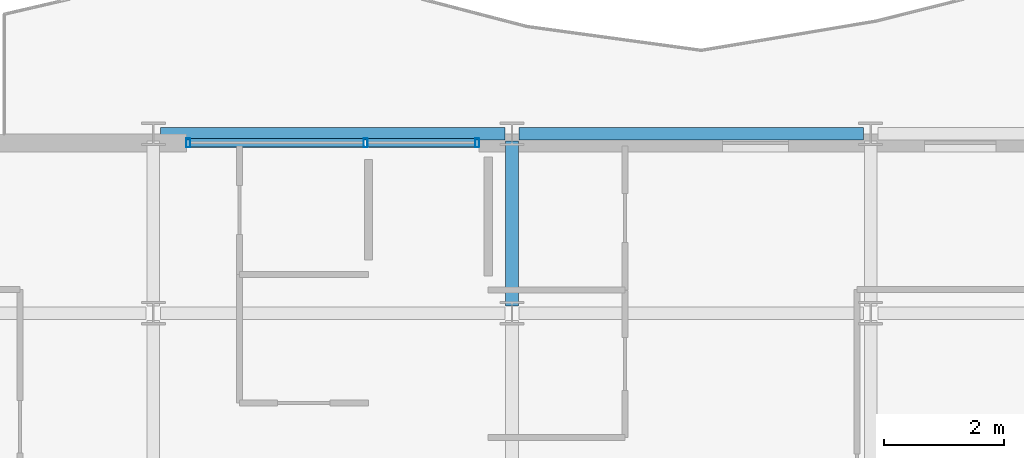
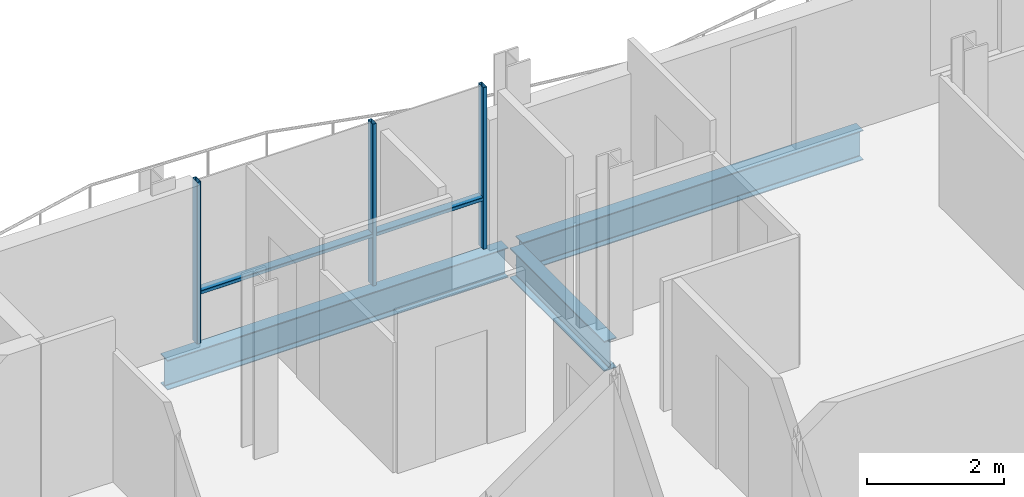
# One storey, part 7 of 29: 5 members, 3 beams, 1 element without a shape of its own.
"""IFC4 building model written with IfcOpenShell, lengths in metres."""

from ifc_helpers import new_model, si_unit, direction, frame, origin, origin_2d, place, context, subcontext, project, spatial, hollow_rectangle, i_section, extrude, material, layer, layer_set, material_profile, profile_set, type_object, element, aggregate, save


model = new_model("IFC4")

# Units and contexts
model_context = context("Model", 3, precision=1e-05, world=origin(), true_north=direction((0.0, 1.0)))
body_context = subcontext(model_context, "Body", "Model", "MODEL_VIEW")
ifc_project = project(units=[si_unit("LENGTHUNIT", "METRE"), si_unit("AREAUNIT", "SQUARE_METRE"), si_unit("VOLUMEUNIT", "CUBIC_METRE"), si_unit("PLANEANGLEUNIT", "RADIAN"), si_unit("MASSUNIT", "GRAM", prefix="KILO")], contexts=[model_context])

# Site, building, storey
site_placement = place(None, origin())
site = spatial("IfcSite", under=ifc_project, at=site_placement, CompositionType="ELEMENT")
building_placement = place(site_placement, origin())
building = spatial("IfcBuilding", under=site, at=building_placement, Name="Brevholm Reach", CompositionType="ELEMENT")
storey_placement = place(building_placement, frame((0.0, 0.0, 198.699951171875)))
storey = spatial("IfcBuildingStorey", under=building, at=storey_placement, Name="L60", CompositionType="ELEMENT", Elevation=198.699951171875)

# Beams
ifc_material_1 = material(Name="Structural Steel S355J2", Category="steel")
ifc_material_profile_1 = material_profile(ifc_material_1, i_section(OverallWidth=0.209228515625, OverallDepth=0.533203125, WebThickness=0.010009765625, FlangeThickness=0.015625, FilletRadius=0.0126953125, at=origin_2d()), Name="UKB 533x210x92")
ifc_profile_set_1 = profile_set([ifc_material_profile_1], Name="Structural Steel S355J2")
beam_type_1 = type_object("IfcBeamType", Name="BM-SP533", PredefinedType="SPANDREL", material=ifc_profile_set_1)
for number, where, z_axis, x_axis, name in (
    (1, (6.1201171875, 26.5, -0.4765625), (1.0, 0.0, 0.0), (0.0, 1.0, 0.0), "L60 SP-02 Framing Beam"),
    (2, (12.1201171875, 26.5, -0.4765625), (1.0, 0.0, 0.0), (0.0, 1.0, 0.0), "L60 SP-02 Framing Beam"),
):
    element("IfcBeam", number, at=place(storey_placement, frame(where, z_axis=z_axis, x_axis=x_axis)), inside=storey, type_object=beam_type_1, Name=name, PredefinedType="SPANDREL", context=body_context, shape_type="SweptSolid", body=[
        extrude(i_section(OverallWidth=0.209228515625, OverallDepth=0.533203125, WebThickness=0.010009765625, FlangeThickness=0.015625, FilletRadius=0.0126953125, at=origin_2d()), origin(), (0.0, 0.0, 1.0), 5.759765625),
    ])
ifc_material_2 = material(Name="Structural Steel S355J2", Category="steel")
ifc_material_profile_2 = material_profile(ifc_material_2, i_section(OverallWidth=0.210693359375, OverallDepth=0.53955078125, WebThickness=0.01171875, FlangeThickness=0.018798828125, FilletRadius=0.0126953125, at=origin_2d()), Name="UKB 533x210x109")
ifc_profile_set_2 = profile_set([ifc_material_profile_2], Name="Structural Steel S355J2")
beam_type_2 = type_object("IfcBeamType", Name="BM-SP539", PredefinedType="SPANDREL", material=ifc_profile_set_2)
beam_placement = place(storey_placement, frame((12.0, 23.6201171875, -0.479736328125), z_axis=(0.0, 1.0, 0.0), x_axis=(-1.0, 0.0, 0.0)))
element("IfcBeam", 3, at=beam_placement, inside=storey, type_object=beam_type_2, Name="L60 SP-01B Framing Beam", PredefinedType="SPANDREL", context=body_context, shape_type="SweptSolid", body=[
    extrude(i_section(OverallWidth=0.210693359375, OverallDepth=0.53955078125, WebThickness=0.01171875, FlangeThickness=0.018798828125, FilletRadius=0.0126953125, at=origin_2d()), origin(), (0.0, 0.0, 1.0), 2.759765625),
])

# Curtain wall, members
ifc_material_3 = material(Name="Dark Anodised Aluminium 6063-T6 and Solar-Control Glass", Category="aluminium")
ifc_layer = layer(ifc_material_3, 0.14990234375)
ifc_layer_set = layer_set([ifc_layer], Name="Dark Anodised Aluminium 6063-T6 and Solar-Control Glass")
curtain_wall_type = type_object("IfcCurtainWallType", Name="CW-01", PredefinedType="NOTDEFINED", material=ifc_layer_set)
curtain_wall_placement = place(storey_placement, origin())
curtain_wall = element("IfcCurtainWall", 4, at=curtain_wall_placement, inside=storey, type_object=curtain_wall_type, Name="L60 Curtain Wall CW-01", PredefinedType="NOTDEFINED")
ifc_material_4 = material(Name="Dark Anodised Aluminium 6063-T6", Category="aluminium")
ifc_material_profile_3 = material_profile(ifc_material_4, hollow_rectangle(XDim=0.06494140625, YDim=0.14990234375, WallThickness=0.0048828125, InnerFilletRadius=0.0048828125, OuterFilletRadius=0.010009765625, at=origin_2d()), Name="RHS 150x65x5")
ifc_profile_set_3 = profile_set([ifc_material_profile_3], Name="Dark Anodised Aluminium 6063-T6")
member_type_1 = type_object("IfcMemberType", Name="CWM-150", PredefinedType="MULLION", material=ifc_profile_set_3)
member_1_placement = place(storey_placement, frame((6.58251953125, 26.35009765625, 0.0), z_axis=(0.0, 0.0, 1.0), x_axis=(1.0, 0.0, 0.0)))
member_1 = element("IfcMember", 5, at=member_1_placement, type_object=member_type_1, Name="CM-150 Mullion 1", PredefinedType="MULLION", context=body_context, shape_type="SweptSolid", body=[
    extrude(hollow_rectangle(XDim=0.06494140625, YDim=0.14990234375, WallThickness=0.0048828125, InnerFilletRadius=0.0048828125, OuterFilletRadius=0.010009765625, at=origin_2d()), origin(), (0.0, 0.0, 1.0), 2.89013671875),
])
member_2_placement = place(storey_placement, frame((9.550048828125, 26.35009765625, 0.0), z_axis=(0.0, 0.0, 1.0), x_axis=(1.0, 0.0, 0.0)))
member_2 = element("IfcMember", 6, at=member_2_placement, type_object=member_type_1, Name="CM-150 Mullion 2", PredefinedType="MULLION", context=body_context, shape_type="SweptSolid", body=[
    extrude(hollow_rectangle(XDim=0.06494140625, YDim=0.14990234375, WallThickness=0.0048828125, InnerFilletRadius=0.0048828125, OuterFilletRadius=0.010009765625, at=origin_2d()), origin(), (0.0, 0.0, 1.0), 2.89013671875),
])
member_3_placement = place(storey_placement, frame((11.41748046875, 26.35009765625, 0.0), z_axis=(0.0, 0.0, 1.0), x_axis=(1.0, 0.0, 0.0)))
member_3 = element("IfcMember", 7, at=member_3_placement, type_object=member_type_1, Name="CM-150 Mullion 3", PredefinedType="MULLION", context=body_context, shape_type="SweptSolid", body=[
    extrude(hollow_rectangle(XDim=0.06494140625, YDim=0.14990234375, WallThickness=0.0048828125, InnerFilletRadius=0.0048828125, OuterFilletRadius=0.010009765625, at=origin_2d()), origin(), (0.0, 0.0, 1.0), 2.89013671875),
])
ifc_material_5 = material(Name="Dark Anodised Aluminium 6063-T6", Category="aluminium")
ifc_material_profile_4 = material_profile(ifc_material_5, hollow_rectangle(XDim=0.06494140625, YDim=0.14990234375, WallThickness=0.0048828125, InnerFilletRadius=0.0048828125, OuterFilletRadius=0.010009765625, at=origin_2d()), Name="RHS 150x65x5")
ifc_profile_set_4 = profile_set([ifc_material_profile_4], Name="Dark Anodised Aluminium 6063-T6")
member_type_2 = type_object("IfcMemberType", Name="CWT-150", PredefinedType="NOTDEFINED", material=ifc_profile_set_4)
member_4_placement = place(storey_placement, frame((6.614990234375, 26.35009765625, 0.900146484375), z_axis=(1.0, 0.0, 0.0), x_axis=(0.0, 0.0, 1.0)))
member_4 = element("IfcMember", 8, at=member_4_placement, type_object=member_type_2, Name="CT-150 Transom 1.1", ObjectType="TRANSOM", PredefinedType="USERDEFINED", context=body_context, shape_type="SweptSolid", body=[
    extrude(hollow_rectangle(XDim=0.06494140625, YDim=0.14990234375, WallThickness=0.0048828125, InnerFilletRadius=0.0048828125, OuterFilletRadius=0.010009765625, at=origin_2d()), origin(), (0.0, 0.0, 1.0), 2.902587890625),
])
member_5_placement = place(storey_placement, frame((9.58251953125, 26.35009765625, 0.900146484375), z_axis=(1.0, 0.0, 0.0), x_axis=(0.0, 0.0, 1.0)))
member_5 = element("IfcMember", 9, at=member_5_placement, type_object=member_type_2, Name="CT-150 Transom 2.1", ObjectType="TRANSOM", PredefinedType="USERDEFINED", context=body_context, shape_type="SweptSolid", body=[
    extrude(hollow_rectangle(XDim=0.06494140625, YDim=0.14990234375, WallThickness=0.0048828125, InnerFilletRadius=0.0048828125, OuterFilletRadius=0.010009765625, at=origin_2d()), origin(), (0.0, 0.0, 1.0), 1.802490234375),
])
aggregate(curtain_wall, [member_1, member_2, member_3, member_4, member_5])

save(model, "model.ifc")
